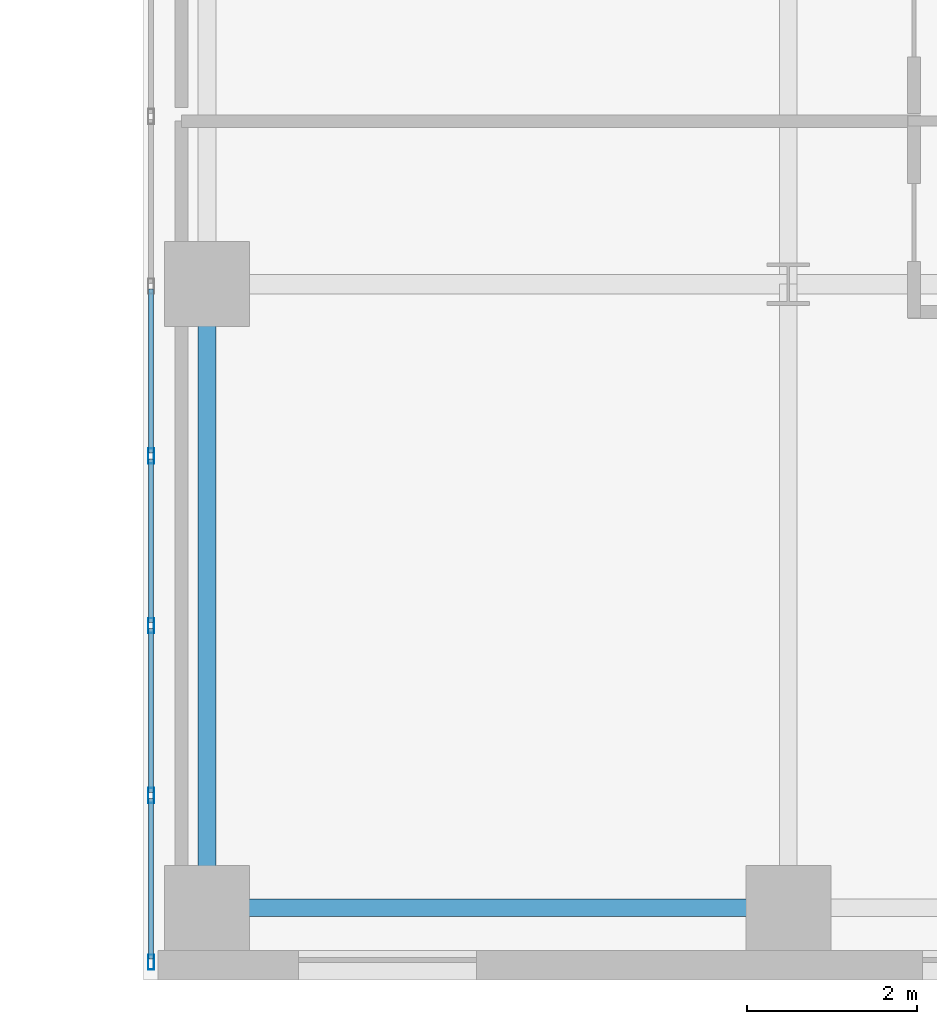
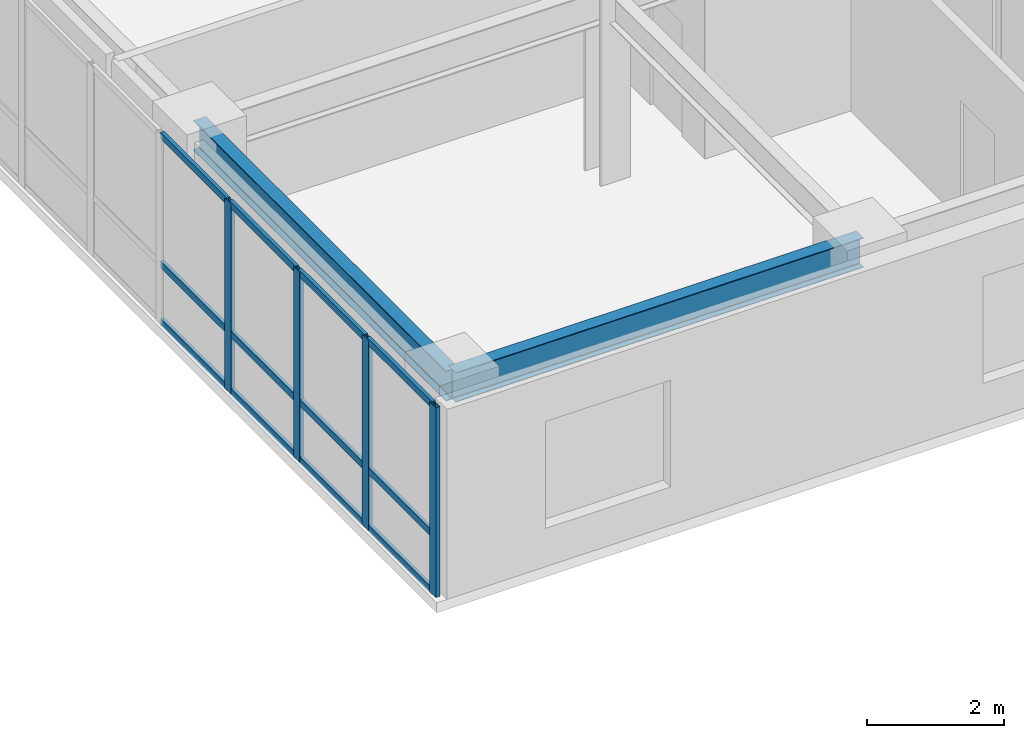
# One storey, part 5 of 16: 16 members, 2 beams, 1 element without a shape of its own.
"""IFC4 building model written with IfcOpenShell, lengths in metres."""

from ifc_helpers import new_model, si_unit, direction, frame, origin, origin_2d, place, context, subcontext, project, spatial, hollow_rectangle, i_section, extrude, source, transform, mapped, material, layer, layer_set, material_profile, profile_set, type_object, type_shapes, element, aggregate, save


model = new_model("IFC4")

# Units and contexts
model_context = context("Model", 3, precision=1e-05, world=origin(), true_north=direction((0.0, 1.0)))
body_context = subcontext(model_context, "Body", "Model", "MODEL_VIEW")
ifc_project = project(units=[si_unit("LENGTHUNIT", "METRE"), si_unit("AREAUNIT", "SQUARE_METRE"), si_unit("VOLUMEUNIT", "CUBIC_METRE"), si_unit("PLANEANGLEUNIT", "RADIAN"), si_unit("MASSUNIT", "GRAM", prefix="KILO")], contexts=[model_context])

# Site, building, storey
site_placement = place(None, origin())
site = spatial("IfcSite", under=ifc_project, at=site_placement, CompositionType="ELEMENT")
building_placement = place(site_placement, origin())
building = spatial("IfcBuilding", under=site, at=building_placement, Name="Tolvann Quenvar Hotel", CompositionType="ELEMENT")
storey_placement = place(building_placement, frame((0.0, 0.0, 63.949951171875)))
storey = spatial("IfcBuildingStorey", under=building, at=storey_placement, Name="L15", CompositionType="ELEMENT", Elevation=63.949951171875)

# Beams
ifc_material_1 = material(Name="Steel Grade 350", Category="steel")
ifc_material_profile_1 = material_profile(ifc_material_1, i_section(OverallWidth=0.208984375, OverallDepth=0.528076171875, WebThickness=0.009521484375, FlangeThickness=0.01318359375, FilletRadius=0.013916015625, at=origin_2d()), Name="530UB82")
ifc_profile_set_1 = profile_set([ifc_material_profile_1], Name="Steel Grade 350")
beam_type_1 = type_object("IfcBeamType", Name="BM_SPAND_530UB82", PredefinedType="SPANDREL", material=ifc_profile_set_1)
shared_shape_1 = source(origin(), body_context, "Body", "SweptSolid", [
    extrude(i_section(OverallWidth=0.208984375, OverallDepth=0.528076171875, WebThickness=0.009521484375, FlangeThickness=0.01318359375, FilletRadius=0.013916015625, at=origin_2d()), origin(), (0.0, 0.0, 1.0), 6.85009765625),
])
type_shapes(beam_type_1, [shared_shape_1])
beam_1_placement = place(storey_placement, frame((34.949951171875, 0.85009765625, 3.10595703125), z_axis=(1.0, 0.0, 0.0), x_axis=(0.0, 1.0, 0.0)))
element("IfcBeam", 1, at=beam_1_placement, inside=storey, type_object=beam_type_1, Name="BM-L15-EW-2-F2-H2", PredefinedType="SPANDREL", context=body_context, shape_type="MappedRepresentation", body=[
    mapped(shared_shape_1, transform((0.0, 0.0, 0.0), x_axis=(1.0, 0.0, 0.0), y_axis=(0.0, 1.0, 0.0), z_axis=(0.0, 0.0, 1.0), scale=1.0)),
])
ifc_material_profile_2 = material_profile(ifc_material_1, i_section(OverallWidth=0.208984375, OverallDepth=0.532958984375, WebThickness=0.01025390625, FlangeThickness=0.015625, FilletRadius=0.013916015625, at=origin_2d()), Name="530UB92")
ifc_profile_set_2 = profile_set([ifc_material_profile_2], Name="Steel Grade 350")
beam_type_2 = type_object("IfcBeamType", Name="BM_GIRD_530UB92", PredefinedType="BEAM", material=ifc_profile_set_2)
shared_shape_2 = source(origin(), body_context, "Body", "SweptSolid", [
    extrude(i_section(OverallWidth=0.208984375, OverallDepth=0.532958984375, WebThickness=0.01025390625, FlangeThickness=0.015625, FilletRadius=0.013916015625, at=origin_2d()), origin(), (0.0, 0.0, 1.0), 7.349853515625),
])
type_shapes(beam_type_2, [shared_shape_2])
beam_2_placement = place(storey_placement, frame((34.949951171875, 0.85009765625, 3.103515625), z_axis=(0.0, 1.0, 0.0), x_axis=(-1.0, 0.0, 0.0)))
element("IfcBeam", 2, at=beam_2_placement, inside=storey, type_object=beam_type_2, Name="BM-L15-NS-F2-F3", PredefinedType="BEAM", context=body_context, shape_type="MappedRepresentation", body=[
    mapped(shared_shape_2, transform((0.0, 0.0, 0.0), x_axis=(1.0, 0.0, 0.0), y_axis=(0.0, 1.0, 0.0), z_axis=(0.0, 0.0, 1.0), scale=1.0)),
])

# Curtain wall, members
ifc_material_2 = material(Name="Thermally broken anodised architectural aluminium 6063-T6 and laminated low-E glass", Category="aluminium")
ifc_layer = layer(ifc_material_2, 0.179931640625)
ifc_layer_set = layer_set([ifc_layer], Name="Thermally broken anodised architectural aluminium 6063-T6 and laminated low-E glass")
curtain_wall_type = type_object("IfcCurtainWallType", Name="CW_SYS_SLOT_03", PredefinedType="USERDEFINED", material=ifc_layer_set)
curtain_wall_placement = place(storey_placement, origin())
curtain_wall = element("IfcCurtainWall", 3, at=curtain_wall_placement, inside=storey, type_object=curtain_wall_type, Name="Curtain Wall CW-SLOT-03 (CWR-L15-E07)", ObjectType="UNITISED CURTAIN WALL", PredefinedType="USERDEFINED")
ifc_material_3 = material(Name="Anodised architectural aluminium 6063-T6 framing", Category="aluminium")
ifc_material_profile_3 = material_profile(ifc_material_3, hollow_rectangle(XDim=0.070068359375, YDim=0.179931640625, WallThickness=0.00390625, at=origin_2d()), Name="180x70x4RHS")
ifc_profile_set_3 = profile_set([ifc_material_profile_3], Name="Anodised architectural aluminium 6063-T6 framing")
member_type_1 = type_object("IfcMemberType", Name="CW_MULL_180x70", PredefinedType="MULLION", material=ifc_profile_set_3)
shared_shape_3 = source(origin(), body_context, "Body", "SweptSolid", [
    extrude(hollow_rectangle(XDim=0.070068359375, YDim=0.179931640625, WallThickness=0.00390625, at=origin_2d()), origin(), (0.0, 0.0, 1.0), 3.3701171875),
])
type_shapes(member_type_1, [shared_shape_3])
member_1_placement = place(storey_placement, frame((34.2900390625, 6.175048828125, 0.0), z_axis=(0.0, 0.0, 1.0), x_axis=(1.0, 0.0, 0.0)))
member_1 = element("IfcMember", 4, at=member_1_placement, type_object=member_type_1, Name="CW-SLOT-03 mullion 6", PredefinedType="MULLION", context=body_context, shape_type="MappedRepresentation", body=[
    mapped(shared_shape_3, transform((0.0, 0.0, 0.0), x_axis=(1.0, 0.0, 0.0), y_axis=(0.0, 1.0, 0.0), z_axis=(0.0, 0.0, 1.0), scale=1.0)),
])
member_2_placement = place(storey_placement, frame((34.2900390625, 4.175048828125, 0.0), z_axis=(0.0, 0.0, 1.0), x_axis=(1.0, 0.0, 0.0)))
member_2 = element("IfcMember", 5, at=member_2_placement, type_object=member_type_1, Name="CW-SLOT-03 mullion 7", PredefinedType="MULLION", context=body_context, shape_type="MappedRepresentation", body=[
    mapped(shared_shape_3, transform((0.0, 0.0, 0.0), x_axis=(1.0, 0.0, 0.0), y_axis=(0.0, 1.0, 0.0), z_axis=(0.0, 0.0, 1.0), scale=1.0)),
])
member_3_placement = place(storey_placement, frame((34.2900390625, 2.175048828125, 0.0), z_axis=(0.0, 0.0, 1.0), x_axis=(1.0, 0.0, 0.0)))
member_3 = element("IfcMember", 6, at=member_3_placement, type_object=member_type_1, Name="CW-SLOT-03 mullion 8", PredefinedType="MULLION", context=body_context, shape_type="MappedRepresentation", body=[
    mapped(shared_shape_3, transform((0.0, 0.0, 0.0), x_axis=(1.0, 0.0, 0.0), y_axis=(0.0, 1.0, 0.0), z_axis=(0.0, 0.0, 1.0), scale=1.0)),
])
member_4_placement = place(storey_placement, frame((34.2900390625, 0.2099609375, 0.0), z_axis=(0.0, 0.0, 1.0), x_axis=(1.0, 0.0, 0.0)))
member_4 = element("IfcMember", 7, at=member_4_placement, type_object=member_type_1, Name="CW-SLOT-03 mullion 9", PredefinedType="MULLION", context=body_context, shape_type="MappedRepresentation", body=[
    mapped(shared_shape_3, transform((0.0, 0.0, 0.0), x_axis=(1.0, 0.0, 0.0), y_axis=(0.0, 1.0, 0.0), z_axis=(0.0, 0.0, 1.0), scale=1.0)),
])
ifc_material_profile_4 = material_profile(ifc_material_3, hollow_rectangle(XDim=0.06005859375, YDim=0.1201171875, WallThickness=0.00341796875, at=origin_2d()), Name="120x60x3.5RHS")
ifc_profile_set_4 = profile_set([ifc_material_profile_4], Name="Anodised architectural aluminium 6063-T6 framing")
member_type_2 = type_object("IfcMemberType", Name="CW_TRAN_120x60", PredefinedType="USERDEFINED", material=ifc_profile_set_4)
shared_shape_4 = source(origin(), body_context, "Body", "SweptSolid", [
    extrude(hollow_rectangle(XDim=0.06005859375, YDim=0.1201171875, WallThickness=0.00341796875, at=origin_2d()), origin(), (0.0, 0.0, 1.0), 1.894775390625),
])
member_5_placement = place(storey_placement, frame((34.2900390625, 2.139892578125, 0.030029296875), z_axis=(0.0, -1.0, 0.0), x_axis=(1.0, 0.0, 0.0)))
member_5 = element("IfcMember", 8, at=member_5_placement, type_object=member_type_2, Name="CW-SLOT-03 transom 8.1", ObjectType="TRANSOM", PredefinedType="USERDEFINED", context=body_context, shape_type="MappedRepresentation", body=[
    mapped(shared_shape_4, transform((0.0, 0.0, 0.0), x_axis=(1.0, 0.0, 0.0), y_axis=(0.0, 1.0, 0.0), z_axis=(0.0, 0.0, 1.0), scale=1.0)),
])
member_6_placement = place(storey_placement, frame((34.2900390625, 2.139892578125, 1.050048828125), z_axis=(0.0, -1.0, 0.0), x_axis=(1.0, 0.0, 0.0)))
member_6 = element("IfcMember", 9, at=member_6_placement, type_object=member_type_2, Name="CW-SLOT-03 transom 8.2", ObjectType="TRANSOM", PredefinedType="USERDEFINED", context=body_context, shape_type="MappedRepresentation", body=[
    mapped(shared_shape_4, transform((0.0, 0.0, 0.0), x_axis=(1.0, 0.0, 0.0), y_axis=(0.0, 1.0, 0.0), z_axis=(0.0, 0.0, 1.0), scale=1.0)),
])
member_7_placement = place(storey_placement, frame((34.2900390625, 2.139892578125, 3.340087890625), z_axis=(0.0, -1.0, 0.0), x_axis=(1.0, 0.0, 0.0)))
member_7 = element("IfcMember", 10, at=member_7_placement, type_object=member_type_2, Name="CW-SLOT-03 transom 8.3", ObjectType="TRANSOM", PredefinedType="USERDEFINED", context=body_context, shape_type="MappedRepresentation", body=[
    mapped(shared_shape_4, transform((0.0, 0.0, 0.0), x_axis=(1.0, 0.0, 0.0), y_axis=(0.0, 1.0, 0.0), z_axis=(0.0, 0.0, 1.0), scale=1.0)),
])
shared_shape_5 = source(origin(), body_context, "Body", "SweptSolid", [
    extrude(hollow_rectangle(XDim=0.06005859375, YDim=0.1201171875, WallThickness=0.00341796875, at=origin_2d()), origin(), (0.0, 0.0, 1.0), 1.929931640625),
])
type_shapes(member_type_2, [shared_shape_4, shared_shape_5])
member_8_placement = place(storey_placement, frame((34.2900390625, 8.139892578125, 0.030029296875), z_axis=(0.0, -1.0, 0.0), x_axis=(1.0, 0.0, 0.0)))
member_8 = element("IfcMember", 11, at=member_8_placement, type_object=member_type_2, Name="CW-SLOT-03 transom 5.1", ObjectType="TRANSOM", PredefinedType="USERDEFINED", context=body_context, shape_type="MappedRepresentation", body=[
    mapped(shared_shape_5, transform((0.0, 0.0, 0.0), x_axis=(1.0, 0.0, 0.0), y_axis=(0.0, 1.0, 0.0), z_axis=(0.0, 0.0, 1.0), scale=1.0)),
])
member_9_placement = place(storey_placement, frame((34.2900390625, 8.139892578125, 1.050048828125), z_axis=(0.0, -1.0, 0.0), x_axis=(1.0, 0.0, 0.0)))
member_9 = element("IfcMember", 12, at=member_9_placement, type_object=member_type_2, Name="CW-SLOT-03 transom 5.2", ObjectType="TRANSOM", PredefinedType="USERDEFINED", context=body_context, shape_type="MappedRepresentation", body=[
    mapped(shared_shape_5, transform((0.0, 0.0, 0.0), x_axis=(1.0, 0.0, 0.0), y_axis=(0.0, 1.0, 0.0), z_axis=(0.0, 0.0, 1.0), scale=1.0)),
])
member_10_placement = place(storey_placement, frame((34.2900390625, 8.139892578125, 3.340087890625), z_axis=(0.0, -1.0, 0.0), x_axis=(1.0, 0.0, 0.0)))
member_10 = element("IfcMember", 13, at=member_10_placement, type_object=member_type_2, Name="CW-SLOT-03 transom 5.3", ObjectType="TRANSOM", PredefinedType="USERDEFINED", context=body_context, shape_type="MappedRepresentation", body=[
    mapped(shared_shape_5, transform((0.0, 0.0, 0.0), x_axis=(1.0, 0.0, 0.0), y_axis=(0.0, 1.0, 0.0), z_axis=(0.0, 0.0, 1.0), scale=1.0)),
])
member_11_placement = place(storey_placement, frame((34.2900390625, 6.139892578125, 0.030029296875), z_axis=(0.0, -1.0, 0.0), x_axis=(1.0, 0.0, 0.0)))
member_11 = element("IfcMember", 14, at=member_11_placement, type_object=member_type_2, Name="CW-SLOT-03 transom 6.1", ObjectType="TRANSOM", PredefinedType="USERDEFINED", context=body_context, shape_type="MappedRepresentation", body=[
    mapped(shared_shape_5, transform((0.0, 0.0, 0.0), x_axis=(1.0, 0.0, 0.0), y_axis=(0.0, 1.0, 0.0), z_axis=(0.0, 0.0, 1.0), scale=1.0)),
])
member_12_placement = place(storey_placement, frame((34.2900390625, 6.139892578125, 1.050048828125), z_axis=(0.0, -1.0, 0.0), x_axis=(1.0, 0.0, 0.0)))
member_12 = element("IfcMember", 15, at=member_12_placement, type_object=member_type_2, Name="CW-SLOT-03 transom 6.2", ObjectType="TRANSOM", PredefinedType="USERDEFINED", context=body_context, shape_type="MappedRepresentation", body=[
    mapped(shared_shape_5, transform((0.0, 0.0, 0.0), x_axis=(1.0, 0.0, 0.0), y_axis=(0.0, 1.0, 0.0), z_axis=(0.0, 0.0, 1.0), scale=1.0)),
])
member_13_placement = place(storey_placement, frame((34.2900390625, 6.139892578125, 3.340087890625), z_axis=(0.0, -1.0, 0.0), x_axis=(1.0, 0.0, 0.0)))
member_13 = element("IfcMember", 16, at=member_13_placement, type_object=member_type_2, Name="CW-SLOT-03 transom 6.3", ObjectType="TRANSOM", PredefinedType="USERDEFINED", context=body_context, shape_type="MappedRepresentation", body=[
    mapped(shared_shape_5, transform((0.0, 0.0, 0.0), x_axis=(1.0, 0.0, 0.0), y_axis=(0.0, 1.0, 0.0), z_axis=(0.0, 0.0, 1.0), scale=1.0)),
])
member_14_placement = place(storey_placement, frame((34.2900390625, 4.139892578125, 0.030029296875), z_axis=(0.0, -1.0, 0.0), x_axis=(1.0, 0.0, 0.0)))
member_14 = element("IfcMember", 17, at=member_14_placement, type_object=member_type_2, Name="CW-SLOT-03 transom 7.1", ObjectType="TRANSOM", PredefinedType="USERDEFINED", context=body_context, shape_type="MappedRepresentation", body=[
    mapped(shared_shape_5, transform((0.0, 0.0, 0.0), x_axis=(1.0, 0.0, 0.0), y_axis=(0.0, 1.0, 0.0), z_axis=(0.0, 0.0, 1.0), scale=1.0)),
])
member_15_placement = place(storey_placement, frame((34.2900390625, 4.139892578125, 1.050048828125), z_axis=(0.0, -1.0, 0.0), x_axis=(1.0, 0.0, 0.0)))
member_15 = element("IfcMember", 18, at=member_15_placement, type_object=member_type_2, Name="CW-SLOT-03 transom 7.2", ObjectType="TRANSOM", PredefinedType="USERDEFINED", context=body_context, shape_type="MappedRepresentation", body=[
    mapped(shared_shape_5, transform((0.0, 0.0, 0.0), x_axis=(1.0, 0.0, 0.0), y_axis=(0.0, 1.0, 0.0), z_axis=(0.0, 0.0, 1.0), scale=1.0)),
])
member_16_placement = place(storey_placement, frame((34.2900390625, 4.139892578125, 3.340087890625), z_axis=(0.0, -1.0, 0.0), x_axis=(1.0, 0.0, 0.0)))
member_16 = element("IfcMember", 19, at=member_16_placement, type_object=member_type_2, Name="CW-SLOT-03 transom 7.3", ObjectType="TRANSOM", PredefinedType="USERDEFINED", context=body_context, shape_type="MappedRepresentation", body=[
    mapped(shared_shape_5, transform((0.0, 0.0, 0.0), x_axis=(1.0, 0.0, 0.0), y_axis=(0.0, 1.0, 0.0), z_axis=(0.0, 0.0, 1.0), scale=1.0)),
])
aggregate(curtain_wall, [member_1, member_2, member_3, member_4, member_8, member_9, member_10, member_11, member_12, member_13, member_14, member_15, member_16, member_5, member_6, member_7])

save(model, "model.ifc")
